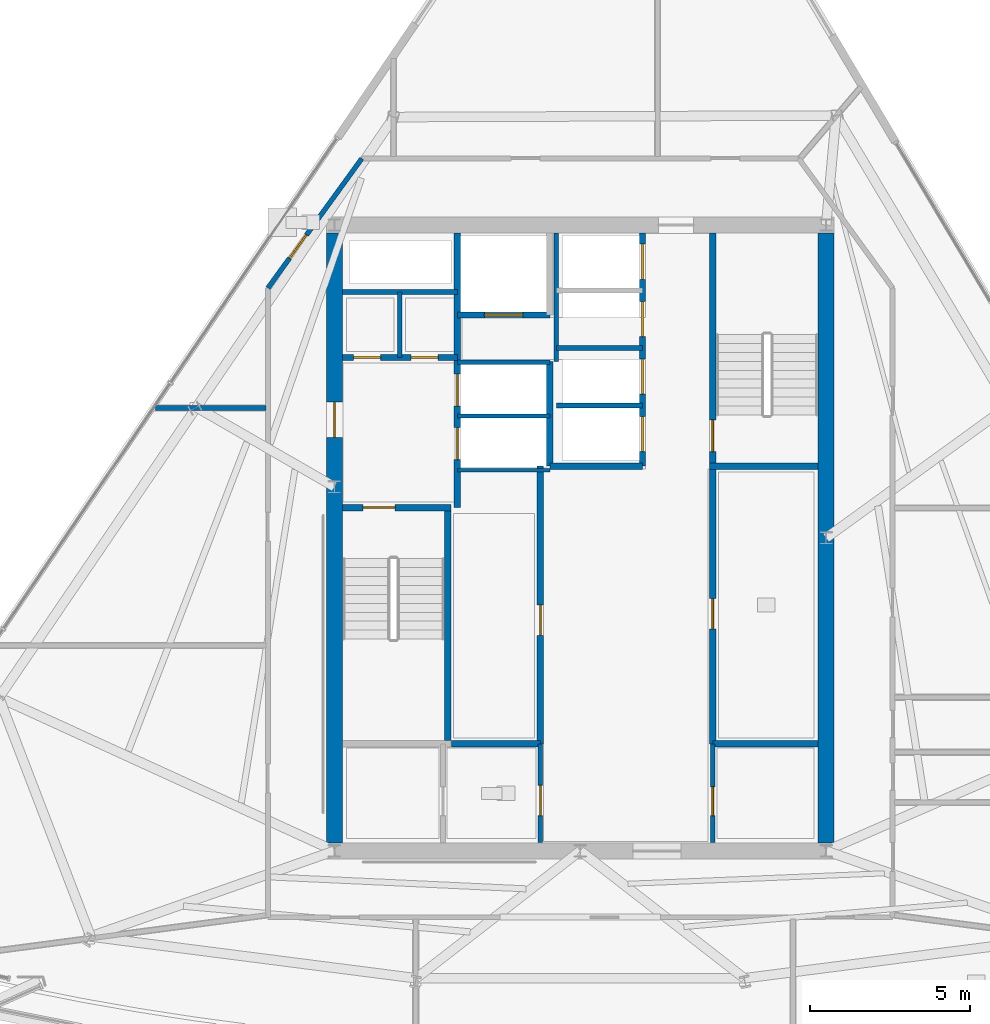
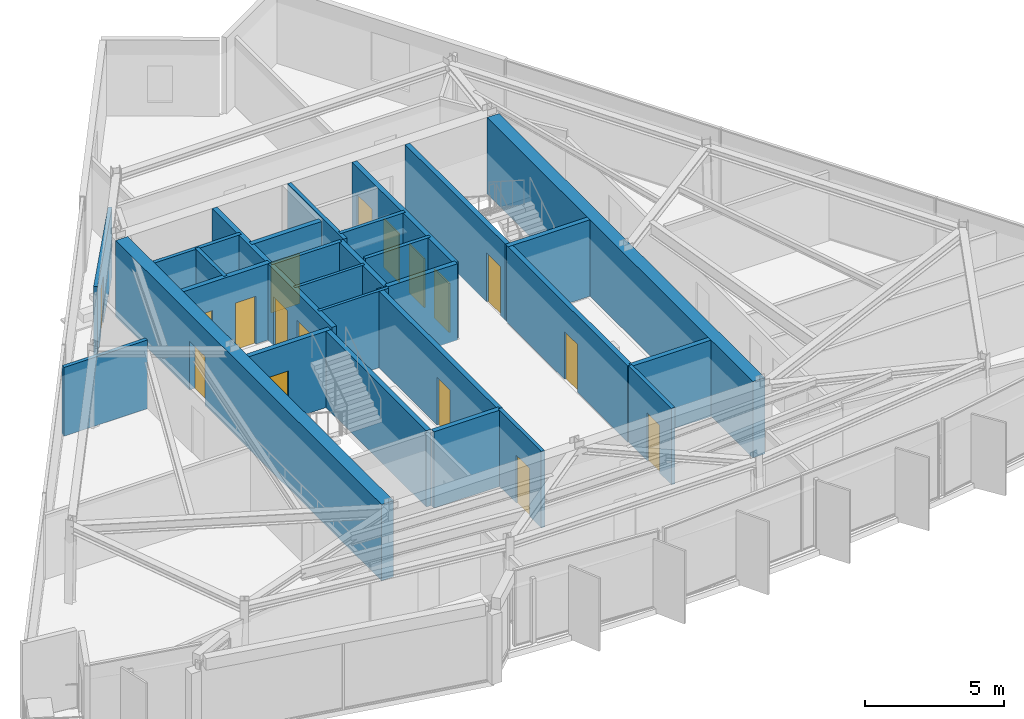
# One storey, part 7 of 13: 28 walls, 17 doors, 17 openings.
"""IFC4 building model written with IfcOpenShell, lengths in metres."""

from ifc_helpers import new_model, si_unit, direction, frame, frame_2d, origin, place, context, subcontext, project, spatial, rectangle, extrude, material, layer, layer_set, type_object, element, fill, save


model = new_model("IFC4")

# Units and contexts
model_context = context("Model", 3, precision=1e-05, world=origin(), true_north=direction((0.0, 1.0)))
body_context = subcontext(model_context, "Body", "Model", "MODEL_VIEW")
ifc_project = project(units=[si_unit("LENGTHUNIT", "METRE"), si_unit("AREAUNIT", "SQUARE_METRE"), si_unit("VOLUMEUNIT", "CUBIC_METRE"), si_unit("PLANEANGLEUNIT", "RADIAN"), si_unit("MASSUNIT", "GRAM", prefix="KILO")], contexts=[model_context])

# Site, building, storey
site_placement = place(None, origin())
site = spatial("IfcSite", under=ifc_project, at=site_placement, CompositionType="ELEMENT")
building_placement = place(site_placement, origin())
building = spatial("IfcBuilding", under=site, at=building_placement, Name="Savorim Split Tower", CompositionType="ELEMENT")
storey_placement = place(building_placement, frame((0.0, 0.0, 276.0)))
storey = spatial("IfcBuildingStorey", under=building, at=storey_placement, Name="L73", CompositionType="ELEMENT", Elevation=276.0)

# Wall, opening, door
ifc_material_1 = material(Name="Concrete C60/75", Category="concrete")
ifc_layer_1 = layer(ifc_material_1, 0.5)
ifc_layer_set_1 = layer_set([ifc_layer_1], Name="WAL-COR-SH500")
wall_type_1 = type_object("IfcWallType", Name="WAL-COR-SH500", PredefinedType="SHEAR", material=ifc_layer_set_1)
wall_1_placement = place(storey_placement, frame((-7.699951171875, -9.14990234375, 0.0), z_axis=(0.0, 0.0, 1.0), x_axis=(0.0, 1.0, 0.0)))
wall_1 = element("IfcWall", 1, at=wall_1_placement, inside=storey, type_object=wall_type_1, Name="L73 Offset Core West Shear Wall", PredefinedType="SHEAR", context=body_context, shape_type="SweptSolid", body=[
    extrude(rectangle(XDim=19.099853515625, YDim=0.5, at=frame_2d((9.5498046875, 0.0))), origin(), (0.0, 0.0, 1.0), 3.35009765625),
])
opening_1_placement = place(wall_1_placement, frame((12.699951171875, 0.0, 0.0)))
opening_1 = element("IfcOpeningElement", 2, at=opening_1_placement, cuts=wall_1, Name="Opening DI-03", PredefinedType="OPENING", context=body_context, shape_type="SweptSolid", body=[
    extrude(rectangle(XDim=1.10009765625, YDim=2.14990234375, at=frame_2d((0.550048828125, 1.074951171875))), frame((0.0, 0.260009765625, 0.0), z_axis=(0.0, -1.0, 0.0), x_axis=(1.0, 0.0, 0.0)), (0.0, 0.0, 1.0), 0.52001953125),
])
ifc_material_2 = material(Name="Timber Fire Door Leaf", Category="wood")
door_type_1 = type_object("IfcDoorType", Name="DOR-FIR-1100", OperationType="NOTDEFINED", PredefinedType="DOOR", material=ifc_material_2)
door_1_placement = place(opening_1_placement, origin())
door_1 = element("IfcDoor", 3, at=door_1_placement, inside=storey, type_object=door_type_1, Name="DOR-L73-COR-FFLOB - L73 Firefighting Lobby Corridor Door", OperationType="SINGLE_SWING_LEFT", OverallHeight=2.14990234375, OverallWidth=1.10009765625, PredefinedType="DOOR", context=body_context, shape_type="SweptSolid", body=[
    extrude(rectangle(XDim=1.10009765625, YDim=2.14990234375, at=frame_2d((0.550048828125, 1.074951171875))), frame((0.0, 0.02490234375, 0.0), z_axis=(0.0, -1.0, 0.0), x_axis=(1.0, 0.0, 0.0)), (0.0, 0.0, 1.0), 0.050048828125),
])
fill(opening_1, door_1)

# Wall
wall_2_placement = place(storey_placement, frame((7.699951171875, 9.949951171875, 0.0), z_axis=(0.0, 0.0, 1.0), x_axis=(0.0, -1.0, 0.0)))
element("IfcWall", 4, at=wall_2_placement, inside=storey, type_object=wall_type_1, Name="L73 Offset Core East Shear Wall", PredefinedType="SHEAR", context=body_context, shape_type="SweptSolid", body=[
    extrude(rectangle(XDim=19.099853515625, YDim=0.5, at=frame_2d((9.5498046875, 0.0))), origin(), (0.0, 0.0, 1.0), 3.35009765625),
])

# Wall, opening, door
ifc_material_3 = material(Name="Concrete C50/60", Category="concrete")
ifc_layer_2 = layer(ifc_material_3, 0.199951171875)
ifc_layer_set_2 = layer_set([ifc_layer_2], Name="WAL-INT-RC200")
wall_type_2 = type_object("IfcWallType", Name="WAL-INT-RC200", PredefinedType="SOLIDWALL", material=ifc_layer_set_2)
wall_3_placement = place(storey_placement, frame((-7.449951171875, 1.35009765625, 0.0), z_axis=(0.0, 0.0, 1.0), x_axis=(1.0, 0.0, 0.0)))
wall_3 = element("IfcWall", 5, at=wall_3_placement, inside=storey, type_object=wall_type_2, Name="L73 Structural Shaft Wall W-L73-CR01", PredefinedType="SOLIDWALL", context=body_context, shape_type="SweptSolid", body=[
    extrude(rectangle(XDim=3.39990234375, YDim=0.199951171875, at=frame_2d((1.699951171875, 0.0))), origin(), (0.0, 0.0, 1.0), 3.35009765625),
])
opening_2_placement = place(wall_3_placement, frame((0.64990234375, 0.0, 0.0)))
opening_2 = element("IfcOpeningElement", 6, at=opening_2_placement, cuts=wall_3, Name="Opening DI-04", PredefinedType="OPENING", context=body_context, shape_type="SweptSolid", body=[
    extrude(rectangle(XDim=1.0, YDim=2.14990234375, at=frame_2d((0.5, 1.074951171875))), frame((0.0, 0.10986328125, 0.0), z_axis=(0.0, -1.0, 0.0), x_axis=(1.0, 0.0, 0.0)), (0.0, 0.0, 1.0), 0.219970703125),
])
door_type_2 = type_object("IfcDoorType", Name="DOR-FIR-1000", OperationType="NOTDEFINED", PredefinedType="DOOR", material=ifc_material_2)
door_2_placement = place(opening_2_placement, origin())
door_2 = element("IfcDoor", 7, at=door_2_placement, inside=storey, type_object=door_type_2, Name="DR-L73-ST1 - L73 Stair ST-1 Enclosure Door", OperationType="SINGLE_SWING_LEFT", OverallHeight=2.14990234375, OverallWidth=1.0, PredefinedType="DOOR", context=body_context, shape_type="SweptSolid", body=[
    extrude(rectangle(XDim=1.0, YDim=2.14990234375, at=frame_2d((0.5, 1.074951171875))), frame((0.0, 0.02490234375, 0.0), z_axis=(0.0, -1.0, 0.0), x_axis=(1.0, 0.0, 0.0)), (0.0, 0.0, 1.0), 0.050048828125),
])
fill(opening_2, door_2)

# Wall
wall_4_placement = place(storey_placement, frame((-4.14990234375, -5.949951171875, 0.0), z_axis=(0.0, 0.0, 1.0), x_axis=(0.0, 1.0, 0.0)))
element("IfcWall", 8, at=wall_4_placement, inside=storey, type_object=wall_type_2, Name="L73 Structural Shaft Wall W-L73-CR02", PredefinedType="SOLIDWALL", context=body_context, shape_type="SweptSolid", body=[
    extrude(rectangle(XDim=7.199951171875, YDim=0.199951171875, at=frame_2d((3.60009765625, 0.0))), origin(), (0.0, 0.0, 1.0), 3.35009765625),
])

# Wall, openings, doors
wall_5_placement = place(storey_placement, frame((-3.85009765625, 1.35009765625, 0.0), z_axis=(0.0, 0.0, 1.0), x_axis=(0.0, 1.0, 0.0)))
wall_5 = element("IfcWall", 9, at=wall_5_placement, inside=storey, type_object=wall_type_2, Name="L73 Partition W-L73-CR03", PredefinedType="SOLIDWALL", context=body_context, shape_type="SweptSolid", body=[
    extrude(rectangle(XDim=8.594970703125, YDim=0.199951171875, at=frame_2d((4.29736328125, 0.0))), origin(), (0.0, 0.0, 1.0), 3.35009765625),
])
opening_3_placement = place(wall_5_placement, frame((1.5, 0.0, 0.0)))
opening_3 = element("IfcOpeningElement", 10, at=opening_3_placement, cuts=wall_5, Name="Opening LD-FFL", PredefinedType="OPENING", context=body_context, shape_type="SweptSolid", body=[
    extrude(rectangle(XDim=1.0, YDim=2.14990234375, at=frame_2d((0.5, 1.074951171875))), frame((0.0, 0.10986328125, 0.0), z_axis=(0.0, -1.0, 0.0), x_axis=(1.0, 0.0, 0.0)), (0.0, 0.0, 1.0), 0.219970703125),
])
opening_4_placement = place(wall_5_placement, frame((3.179931640625, 0.0, 0.0)))
opening_4 = element("IfcOpeningElement", 11, at=opening_4_placement, cuts=wall_5, Name="Opening LD-FFL", PredefinedType="OPENING", context=body_context, shape_type="SweptSolid", body=[
    extrude(rectangle(XDim=1.0, YDim=2.14990234375, at=frame_2d((0.5, 1.074951171875))), frame((0.0, 0.10986328125, 0.0), z_axis=(0.0, -1.0, 0.0), x_axis=(1.0, 0.0, 0.0)), (0.0, 0.0, 1.0), 0.219970703125),
])
ifc_material_4 = material(Name="Charcoal Anodised Aluminium", Category="aluminium")
door_type_3 = type_object("IfcDoorType", Name="DOR-SLD-LD1000", OperationType="NOTDEFINED", PredefinedType="DOOR", material=ifc_material_4)
door_3_placement = place(opening_3_placement, origin())
door_3 = element("IfcDoor", 12, at=door_3_placement, inside=storey, type_object=door_type_3, Name="DR-L73-LD-FFL1 - L73 Firefighting Lift FFL-1 Sliding Landing Door", OperationType="DOUBLE_DOOR_SLIDING", OverallHeight=2.14990234375, OverallWidth=1.0, PredefinedType="DOOR", context=body_context, shape_type="SweptSolid", body=[
    extrude(rectangle(XDim=1.0, YDim=2.14990234375, at=frame_2d((0.5, 1.074951171875))), frame((0.0, 0.02490234375, 0.0), z_axis=(0.0, -1.0, 0.0), x_axis=(1.0, 0.0, 0.0)), (0.0, 0.0, 1.0), 0.050048828125),
])
fill(opening_3, door_3)
door_4_placement = place(opening_4_placement, origin())
door_4 = element("IfcDoor", 13, at=door_4_placement, inside=storey, type_object=door_type_3, Name="DR-L73-LD-FFL2 - L73 Firefighting Lift FFL-2 Sliding Landing Door", OperationType="DOUBLE_DOOR_SLIDING", OverallHeight=2.14990234375, OverallWidth=1.0, PredefinedType="DOOR", context=body_context, shape_type="SweptSolid", body=[
    extrude(rectangle(XDim=1.0, YDim=2.14990234375, at=frame_2d((0.5, 1.074951171875))), frame((0.0, 0.02490234375, 0.0), z_axis=(0.0, -1.0, 0.0), x_axis=(1.0, 0.0, 0.0)), (0.0, 0.0, 1.0), 0.050048828125),
])
fill(opening_4, door_4)

wall_6_placement = place(storey_placement, frame((-7.445068359375, 6.050048828125, 0.0), z_axis=(0.0, 0.0, 1.0), x_axis=(1.0, 0.0, 0.0)))
wall_6 = element("IfcWall", 14, at=wall_6_placement, inside=storey, type_object=wall_type_2, Name="L73 Partition W-L73-CR04", PredefinedType="SOLIDWALL", context=body_context, shape_type="SweptSolid", body=[
    extrude(rectangle(XDim=3.594970703125, YDim=0.199951171875, at=frame_2d((1.79736328125, 0.0))), origin(), (0.0, 0.0, 1.0), 3.35009765625),
])
opening_5_placement = place(wall_6_placement, frame((0.344970703125, 0.0, 0.0)))
opening_5 = element("IfcOpeningElement", 15, at=opening_5_placement, cuts=wall_6, Name="Opening DI-12", PredefinedType="OPENING", context=body_context, shape_type="SweptSolid", body=[
    extrude(rectangle(XDim=0.85009765625, YDim=2.10009765625, at=frame_2d((0.425048828125, 1.050048828125))), frame((0.0, 0.10986328125, 0.0), z_axis=(0.0, -1.0, 0.0), x_axis=(1.0, 0.0, 0.0)), (0.0, 0.0, 1.0), 0.219970703125),
])
opening_6_placement = place(wall_6_placement, frame((2.14501953125, 0.0, 0.0)))
opening_6 = element("IfcOpeningElement", 16, at=opening_6_placement, cuts=wall_6, Name="Opening DI-12", PredefinedType="OPENING", context=body_context, shape_type="SweptSolid", body=[
    extrude(rectangle(XDim=0.85009765625, YDim=2.10009765625, at=frame_2d((0.425048828125, 1.050048828125))), frame((0.0, 0.10986328125, 0.0), z_axis=(0.0, -1.0, 0.0), x_axis=(1.0, 0.0, 0.0)), (0.0, 0.0, 1.0), 0.219970703125),
])
ifc_material_5 = material(Name="Galvanised Painted Steel Balustrade", Category="steel")
door_type_4 = type_object("IfcDoorType", Name="DOR-RIS-850", OperationType="NOTDEFINED", PredefinedType="DOOR", material=ifc_material_5)
door_5_placement = place(opening_5_placement, origin())
door_5 = element("IfcDoor", 17, at=door_5_placement, inside=storey, type_object=door_type_4, Name="DR-L73-ELR - L73 Electrical Riser Access Door", OperationType="SINGLE_SWING_RIGHT", OverallHeight=2.10009765625, OverallWidth=0.85009765625, PredefinedType="DOOR", context=body_context, shape_type="SweptSolid", body=[
    extrude(rectangle(XDim=0.85009765625, YDim=2.10009765625, at=frame_2d((0.425048828125, 1.050048828125))), frame((0.0, 0.02490234375, 0.0), z_axis=(0.0, -1.0, 0.0), x_axis=(1.0, 0.0, 0.0)), (0.0, 0.0, 1.0), 0.050048828125),
])
fill(opening_5, door_5)
door_6_placement = place(opening_6_placement, origin())
door_6 = element("IfcDoor", 18, at=door_6_placement, inside=storey, type_object=door_type_4, Name="DR-L73-TLR - L73 Telecom Riser Access Door", OperationType="SINGLE_SWING_LEFT", OverallHeight=2.10009765625, OverallWidth=0.85009765625, PredefinedType="DOOR", context=body_context, shape_type="SweptSolid", body=[
    extrude(rectangle(XDim=0.85009765625, YDim=2.10009765625, at=frame_2d((0.425048828125, 1.050048828125))), frame((0.0, 0.02490234375, 0.0), z_axis=(0.0, -1.0, 0.0), x_axis=(1.0, 0.0, 0.0)), (0.0, 0.0, 1.0), 0.050048828125),
])
fill(opening_6, door_6)

# Wall, opening, door
wall_7_placement = place(storey_placement, frame((4.14990234375, 2.75, 0.0), z_axis=(0.0, 0.0, 1.0), x_axis=(0.0, 1.0, 0.0)))
wall_7 = element("IfcWall", 19, at=wall_7_placement, inside=storey, type_object=wall_type_2, Name="L73 Structural Shaft Wall W-L73-CR07", PredefinedType="SOLIDWALL", context=body_context, shape_type="SweptSolid", body=[
    extrude(rectangle(XDim=7.199951171875, YDim=0.199951171875, at=frame_2d((3.60009765625, 0.0))), origin(), (0.0, 0.0, 1.0), 3.35009765625),
])
opening_7_placement = place(wall_7_placement, frame((0.35009765625, 0.0, 0.0)))
opening_7 = element("IfcOpeningElement", 20, at=opening_7_placement, cuts=wall_7, Name="Opening DI-04", PredefinedType="OPENING", context=body_context, shape_type="SweptSolid", body=[
    extrude(rectangle(XDim=1.0, YDim=2.14990234375, at=frame_2d((0.5, 1.074951171875))), frame((0.0, 0.10986328125, 0.0), z_axis=(0.0, -1.0, 0.0), x_axis=(1.0, 0.0, 0.0)), (0.0, 0.0, 1.0), 0.219970703125),
])
door_7_placement = place(opening_7_placement, origin())
door_7 = element("IfcDoor", 21, at=door_7_placement, inside=storey, type_object=door_type_2, Name="DR-L73-ST2 - L73 Stair ST-2 Enclosure Door", OperationType="SINGLE_SWING_RIGHT", OverallHeight=2.14990234375, OverallWidth=1.0, PredefinedType="DOOR", context=body_context, shape_type="SweptSolid", body=[
    extrude(rectangle(XDim=1.0, YDim=2.14990234375, at=frame_2d((0.5, 1.074951171875))), frame((0.0, 0.02490234375, 0.0), z_axis=(0.0, -1.0, 0.0), x_axis=(1.0, 0.0, 0.0)), (0.0, 0.0, 1.0), 0.050048828125),
])
fill(opening_7, door_7)

# Walls
wall_8_placement = place(storey_placement, frame((4.050048828125, 2.64990234375, 0.0), z_axis=(0.0, 0.0, 1.0), x_axis=(1.0, 0.0, 0.0)))
element("IfcWall", 22, at=wall_8_placement, inside=storey, type_object=wall_type_2, Name="L73 Structural Shaft Wall W-L73-CR08", PredefinedType="SOLIDWALL", context=body_context, shape_type="SweptSolid", body=[
    extrude(rectangle(XDim=3.39990234375, YDim=0.199951171875, at=frame_2d((1.699951171875, 0.0))), origin(), (0.0, 0.0, 1.0), 3.35009765625),
])
wall_9_placement = place(storey_placement, frame((-0.949951171875, 2.64990234375, 0.0), z_axis=(0.0, 0.0, 1.0), x_axis=(0.0, 1.0, 0.0)))
element("IfcWall", 23, at=wall_9_placement, inside=storey, type_object=wall_type_2, Name="L73 Partition W-L73-FFLW", PredefinedType="SOLIDWALL", context=body_context, shape_type="SweptSolid", body=[
    extrude(rectangle(XDim=3.27001953125, YDim=0.199951171875, at=frame_2d((1.635009765625, 0.0))), origin(), (0.0, 0.0, 1.0), 3.35009765625),
])

# Wall, opening, door
wall_10_placement = place(storey_placement, frame((-3.85009765625, 7.3798828125, 0.0), z_axis=(0.0, 0.0, 1.0), x_axis=(1.0, 0.0, 0.0)))
wall_10 = element("IfcWall", 24, at=wall_10_placement, inside=storey, type_object=wall_type_2, Name="L73 Partition W-L73-SVLS", PredefinedType="SOLIDWALL", context=body_context, shape_type="SweptSolid", body=[
    extrude(rectangle(XDim=2.900146484375, YDim=0.199951171875, at=frame_2d((1.4501953125, 0.0))), origin(), (0.0, 0.0, 1.0), 3.35009765625),
])
opening_8_placement = place(wall_10_placement, frame((0.85009765625, 0.0, 0.0)))
opening_8 = element("IfcOpeningElement", 25, at=opening_8_placement, cuts=wall_10, Name="Opening LD-SV", PredefinedType="OPENING", context=body_context, shape_type="SweptSolid", body=[
    extrude(rectangle(XDim=1.199951171875, YDim=2.199951171875, at=frame_2d((0.60009765625, 1.10009765625))), frame((0.0, 0.10986328125, 0.0), z_axis=(0.0, -1.0, 0.0), x_axis=(1.0, 0.0, 0.0)), (0.0, 0.0, 1.0), 0.219970703125),
])
door_type_5 = type_object("IfcDoorType", Name="DOR-SLD-SV1200", OperationType="NOTDEFINED", PredefinedType="DOOR", material=ifc_material_4)
door_8_placement = place(opening_8_placement, origin())
door_8 = element("IfcDoor", 26, at=door_8_placement, inside=storey, type_object=door_type_5, Name="DR-L73-LD-SVL1 - L73 Service Lift SVL-1 Sliding Landing Door", OperationType="DOUBLE_DOOR_SLIDING", OverallHeight=2.199951171875, OverallWidth=1.199951171875, PredefinedType="DOOR", context=body_context, shape_type="SweptSolid", body=[
    extrude(rectangle(XDim=1.199951171875, YDim=2.199951171875, at=frame_2d((0.60009765625, 1.10009765625))), frame((0.0, 0.02490234375, 0.0), z_axis=(0.0, -1.0, 0.0), x_axis=(1.0, 0.0, 0.0)), (0.0, 0.0, 1.0), 0.050048828125),
])
fill(opening_8, door_8)

wall_11_placement = place(storey_placement, frame((4.14990234375, -6.050048828125, 0.0), z_axis=(0.0, 0.0, 1.0), x_axis=(0.0, 1.0, 0.0)))
wall_11 = element("IfcWall", 27, at=wall_11_placement, inside=storey, type_object=wall_type_2, Name="L73 Partition W-L73-B1FRONT", PredefinedType="SOLIDWALL", context=body_context, shape_type="SweptSolid", body=[
    extrude(rectangle(XDim=8.699951171875, YDim=0.199951171875, at=frame_2d((4.35009765625, 0.0))), origin(), (0.0, 0.0, 1.0), 3.35009765625),
])
opening_9_placement = place(wall_11_placement, frame((3.60009765625, 0.0, 0.0)))
opening_9 = element("IfcOpeningElement", 28, at=opening_9_placement, cuts=wall_11, Name="Opening DI-05", PredefinedType="OPENING", context=body_context, shape_type="SweptSolid", body=[
    extrude(rectangle(XDim=0.949951171875, YDim=2.10009765625, at=frame_2d((0.47509765625, 1.050048828125))), frame((0.0, 0.10986328125, 0.0), z_axis=(0.0, -1.0, 0.0), x_axis=(1.0, 0.0, 0.0)), (0.0, 0.0, 1.0), 0.219970703125),
])
door_type_6 = type_object("IfcDoorType", Name="DOR-FIR-950", OperationType="NOTDEFINED", PredefinedType="DOOR", material=ifc_material_2)
door_9_placement = place(opening_9_placement, origin())
door_9 = element("IfcDoor", 29, at=door_9_placement, inside=storey, type_object=door_type_6, Name="DR-L73-LV7B1 - L73 Community Laundry Room Door", OperationType="SINGLE_SWING_RIGHT", OverallHeight=2.10009765625, OverallWidth=0.949951171875, PredefinedType="DOOR", context=body_context, shape_type="SweptSolid", body=[
    extrude(rectangle(XDim=0.949951171875, YDim=2.10009765625, at=frame_2d((0.47509765625, 1.050048828125))), frame((0.0, 0.02490234375, 0.0), z_axis=(0.0, -1.0, 0.0), x_axis=(1.0, 0.0, 0.0)), (0.0, 0.0, 1.0), 0.050048828125),
])
fill(opening_9, door_9)

wall_12_placement = place(storey_placement, frame((-1.25, -6.050048828125, 0.0), z_axis=(0.0, 0.0, 1.0), x_axis=(0.0, 1.0, 0.0)))
wall_12 = element("IfcWall", 30, at=wall_12_placement, inside=storey, type_object=wall_type_2, Name="L73 Partition W-L73-B2FRONT", PredefinedType="SOLIDWALL", context=body_context, shape_type="SweptSolid", body=[
    extrude(rectangle(XDim=8.699951171875, YDim=0.199951171875, at=frame_2d((4.35009765625, 0.0))), origin(), (0.0, 0.0, 1.0), 3.35009765625),
])
opening_10_placement = place(wall_12_placement, frame((3.39990234375, 0.0, 0.0)))
opening_10 = element("IfcOpeningElement", 31, at=opening_10_placement, cuts=wall_12, Name="Opening DI-05", PredefinedType="OPENING", context=body_context, shape_type="SweptSolid", body=[
    extrude(rectangle(XDim=0.949951171875, YDim=2.10009765625, at=frame_2d((0.47509765625, 1.050048828125))), frame((0.0, 0.10986328125, 0.0), z_axis=(0.0, -1.0, 0.0), x_axis=(1.0, 0.0, 0.0)), (0.0, 0.0, 1.0), 0.219970703125),
])
door_10_placement = place(opening_10_placement, origin())
door_10 = element("IfcDoor", 32, at=door_10_placement, inside=storey, type_object=door_type_6, Name="DR-L73-LV7B2 - L73 Quiet Study Room Door", OperationType="SINGLE_SWING_LEFT", OverallHeight=2.10009765625, OverallWidth=0.949951171875, PredefinedType="DOOR", context=body_context, shape_type="SweptSolid", body=[
    extrude(rectangle(XDim=0.949951171875, YDim=2.10009765625, at=frame_2d((0.47509765625, 1.050048828125))), frame((0.0, 0.02490234375, 0.0), z_axis=(0.0, -1.0, 0.0), x_axis=(1.0, 0.0, 0.0)), (0.0, 0.0, 1.0), 0.050048828125),
])
fill(opening_10, door_10)

# Wall, openings, doors
wall_13_placement = place(storey_placement, frame((1.949951171875, 2.64990234375, 0.0), z_axis=(0.0, 0.0, 1.0), x_axis=(0.0, 1.0, 0.0)))
wall_13 = element("IfcWall", 33, at=wall_13_placement, inside=storey, type_object=wall_type_2, Name="L73 Partition W-L73-B3FRONT", PredefinedType="SOLIDWALL", context=body_context, shape_type="SweptSolid", body=[
    extrude(rectangle(XDim=7.295166015625, YDim=0.199951171875, at=frame_2d((3.6474609375, 0.0))), origin(), (0.0, 0.0, 1.0), 3.35009765625),
])
opening_11_placement = place(wall_13_placement, frame((0.449951171875, 0.0, 0.0)))
opening_11 = element("IfcOpeningElement", 34, at=opening_11_placement, cuts=wall_13, Name="Opening LD-03", PredefinedType="OPENING", context=body_context, shape_type="SweptSolid", body=[
    extrude(rectangle(XDim=1.10009765625, YDim=2.14990234375, at=frame_2d((0.550048828125, 1.074951171875))), frame((0.0, 0.10986328125, 0.0), z_axis=(0.0, -1.0, 0.0), x_axis=(1.0, 0.0, 0.0)), (0.0, 0.0, 1.0), 0.219970703125),
])
opening_12_placement = place(wall_13_placement, frame((2.25, 0.0, 0.0)))
opening_12 = element("IfcOpeningElement", 35, at=opening_12_placement, cuts=wall_13, Name="Opening LD-03", PredefinedType="OPENING", context=body_context, shape_type="SweptSolid", body=[
    extrude(rectangle(XDim=1.10009765625, YDim=2.14990234375, at=frame_2d((0.550048828125, 1.074951171875))), frame((0.0, 0.10986328125, 0.0), z_axis=(0.0, -1.0, 0.0), x_axis=(1.0, 0.0, 0.0)), (0.0, 0.0, 1.0), 0.219970703125),
])
opening_13_placement = place(wall_13_placement, frame((4.050048828125, 0.0, 0.0)))
opening_13 = element("IfcOpeningElement", 36, at=opening_13_placement, cuts=wall_13, Name="Opening LD-03", PredefinedType="OPENING", context=body_context, shape_type="SweptSolid", body=[
    extrude(rectangle(XDim=1.10009765625, YDim=2.14990234375, at=frame_2d((0.550048828125, 1.074951171875))), frame((0.0, 0.10986328125, 0.0), z_axis=(0.0, -1.0, 0.0), x_axis=(1.0, 0.0, 0.0)), (0.0, 0.0, 1.0), 0.219970703125),
])
opening_14_placement = place(wall_13_placement, frame((5.85009765625, 0.0, 0.0)))
opening_14 = element("IfcOpeningElement", 37, at=opening_14_placement, cuts=wall_13, Name="Opening LD-03", PredefinedType="OPENING", context=body_context, shape_type="SweptSolid", body=[
    extrude(rectangle(XDim=1.10009765625, YDim=2.14990234375, at=frame_2d((0.550048828125, 1.074951171875))), frame((0.0, 0.10986328125, 0.0), z_axis=(0.0, -1.0, 0.0), x_axis=(1.0, 0.0, 0.0)), (0.0, 0.0, 1.0), 0.219970703125),
])
door_type_7 = type_object("IfcDoorType", Name="DOR-SLD-LDH1100", OperationType="NOTDEFINED", PredefinedType="DOOR", material=ifc_material_4)
door_11_placement = place(opening_11_placement, origin())
door_11 = element("IfcDoor", 38, at=door_11_placement, inside=storey, type_object=door_type_7, Name="DR-L73-LD-PLH1 - L73 Lift PL-H1 Sliding Landing Door", OperationType="DOUBLE_DOOR_SLIDING", OverallHeight=2.14990234375, OverallWidth=1.10009765625, PredefinedType="DOOR", context=body_context, shape_type="SweptSolid", body=[
    extrude(rectangle(XDim=1.10009765625, YDim=2.14990234375, at=frame_2d((0.550048828125, 1.074951171875))), frame((0.0, 0.02490234375, 0.0), z_axis=(0.0, -1.0, 0.0), x_axis=(1.0, 0.0, 0.0)), (0.0, 0.0, 1.0), 0.050048828125),
])
fill(opening_11, door_11)
door_12_placement = place(opening_12_placement, origin())
door_12 = element("IfcDoor", 39, at=door_12_placement, inside=storey, type_object=door_type_7, Name="DR-L73-LD-PLH2 - L73 Lift PL-H2 Sliding Landing Door", OperationType="DOUBLE_DOOR_SLIDING", OverallHeight=2.14990234375, OverallWidth=1.10009765625, PredefinedType="DOOR", context=body_context, shape_type="SweptSolid", body=[
    extrude(rectangle(XDim=1.10009765625, YDim=2.14990234375, at=frame_2d((0.550048828125, 1.074951171875))), frame((0.0, 0.02490234375, 0.0), z_axis=(0.0, -1.0, 0.0), x_axis=(1.0, 0.0, 0.0)), (0.0, 0.0, 1.0), 0.050048828125),
])
fill(opening_12, door_12)
door_13_placement = place(opening_13_placement, origin())
door_13 = element("IfcDoor", 40, at=door_13_placement, inside=storey, type_object=door_type_7, Name="DR-L73-LD-PLH3 - L73 Lift PL-H3 Sliding Landing Door", OperationType="DOUBLE_DOOR_SLIDING", OverallHeight=2.14990234375, OverallWidth=1.10009765625, PredefinedType="DOOR", context=body_context, shape_type="SweptSolid", body=[
    extrude(rectangle(XDim=1.10009765625, YDim=2.14990234375, at=frame_2d((0.550048828125, 1.074951171875))), frame((0.0, 0.02490234375, 0.0), z_axis=(0.0, -1.0, 0.0), x_axis=(1.0, 0.0, 0.0)), (0.0, 0.0, 1.0), 0.050048828125),
])
fill(opening_13, door_13)
door_14_placement = place(opening_14_placement, origin())
door_14 = element("IfcDoor", 41, at=door_14_placement, inside=storey, type_object=door_type_7, Name="DR-L73-LD-PLH4 - L73 Lift PL-H4 Sliding Landing Door", OperationType="DOUBLE_DOOR_SLIDING", OverallHeight=2.14990234375, OverallWidth=1.10009765625, PredefinedType="DOOR", context=body_context, shape_type="SweptSolid", body=[
    extrude(rectangle(XDim=1.10009765625, YDim=2.14990234375, at=frame_2d((0.550048828125, 1.074951171875))), frame((0.0, 0.02490234375, 0.0), z_axis=(0.0, -1.0, 0.0), x_axis=(1.0, 0.0, 0.0)), (0.0, 0.0, 1.0), 0.050048828125),
])
fill(opening_14, door_14)

# Walls
wall_14_placement = place(storey_placement, frame((-0.949951171875, 2.64990234375, 0.0), z_axis=(0.0, 0.0, 1.0), x_axis=(1.0, 0.0, 0.0)))
element("IfcWall", 42, at=wall_14_placement, inside=storey, type_object=wall_type_2, Name="L73 Partition W-L73-B3SOUTH", PredefinedType="SOLIDWALL", context=body_context, shape_type="SweptSolid", body=[
    extrude(rectangle(XDim=2.89990234375, YDim=0.199951171875, at=frame_2d((1.449951171875, 0.0))), origin(), (0.0, 0.0, 1.0), 3.35009765625),
])
wall_15_placement = place(storey_placement, frame((-4.0400390625, -6.050048828125, 0.0), z_axis=(0.0, 0.0, 1.0), x_axis=(1.0, 0.0, 0.0)))
element("IfcWall", 43, at=wall_15_placement, inside=storey, type_object=wall_type_2, Name="L73 Partition W-L73-KSEP-W2", PredefinedType="SOLIDWALL", context=body_context, shape_type="SweptSolid", body=[
    extrude(rectangle(XDim=2.7900390625, YDim=0.199951171875, at=frame_2d((1.39501953125, 0.0))), origin(), (0.0, 0.0, 1.0), 3.35009765625),
])
wall_16_placement = place(storey_placement, frame((4.14990234375, -6.050048828125, 0.0), z_axis=(0.0, 0.0, 1.0), x_axis=(1.0, 0.0, 0.0)))
element("IfcWall", 44, at=wall_16_placement, inside=storey, type_object=wall_type_2, Name="L73 Partition W-L73-KSEP-E", PredefinedType="SOLIDWALL", context=body_context, shape_type="SweptSolid", body=[
    extrude(rectangle(XDim=3.295166015625, YDim=0.199951171875, at=frame_2d((1.6474609375, 0.0))), origin(), (0.0, 0.0, 1.0), 3.35009765625),
])
ifc_material_6 = material(Name="Acoustic Gypsum Partition Board")
ifc_layer_3 = layer(ifc_material_6, 0.1201171875)
ifc_layer_set_3 = layer_set([ifc_layer_3], Name="WAL-PAR-120")
wall_type_3 = type_object("IfcWallType", Name="WAL-PAR-120", PredefinedType="PARTITIONING", material=ifc_layer_set_3)
for number, where, z_axis, x_axis, name in (
    (45, (-3.85009765625, 2.52001953125, 0.0), (0.0, 0.0, 1.0), (1.0, 0.0, 0.0), "L73 Partition W-L73-FFLD0"),
    (46, (-3.85009765625, 4.219970703125, 0.0), (0.0, 0.0, 1.0), (1.0, 0.0, 0.0), "L73 Partition W-L73-FFLD1"),
):
    element("IfcWall", number, at=place(storey_placement, frame(where, z_axis=z_axis, x_axis=x_axis)), inside=storey, type_object=wall_type_3, Name=name, PredefinedType="PARTITIONING", context=body_context, shape_type="SweptSolid", body=[
        extrude(rectangle(XDim=2.900146484375, YDim=0.1201171875, at=frame_2d((1.4501953125, 0.0))), origin(), (0.0, 0.0, 1.0), 3.35009765625),
    ])
ifc_layer_4 = layer(ifc_material_6, 0.14990234375)
ifc_layer_set_4 = layer_set([ifc_layer_4], Name="WAL-PAR-150")
wall_type_4 = type_object("IfcWallType", Name="WAL-PAR-150", PredefinedType="PARTITIONING", material=ifc_layer_set_4)
wall_17_placement = place(storey_placement, frame((-7.445068359375, 8.10009765625, 0.0), z_axis=(0.0, 0.0, 1.0), x_axis=(1.0, 0.0, 0.0)))
element("IfcWall", 47, at=wall_17_placement, inside=storey, type_object=wall_type_4, Name="L73 Partition W-L73-CR05", PredefinedType="PARTITIONING", context=body_context, shape_type="SweptSolid", body=[
    extrude(rectangle(XDim=3.594970703125, YDim=0.14990234375, at=frame_2d((1.79736328125, 0.0))), origin(), (0.0, 0.0, 1.0), 3.35009765625),
])
wall_18_placement = place(storey_placement, frame((-5.64990234375, 6.050048828125, 0.0), z_axis=(0.0, 0.0, 1.0), x_axis=(0.0, 1.0, 0.0)))
element("IfcWall", 48, at=wall_18_placement, inside=storey, type_object=wall_type_4, Name="L73 Partition W-L73-CR06", PredefinedType="PARTITIONING", context=body_context, shape_type="SweptSolid", body=[
    extrude(rectangle(XDim=2.050048828125, YDim=0.14990234375, at=frame_2d((1.02490234375, 0.0))), origin(), (0.0, 0.0, 1.0), 3.35009765625),
])
wall_19_placement = place(storey_placement, frame((-3.85009765625, 5.89990234375, 0.0), z_axis=(0.0, 0.0, 1.0), x_axis=(1.0, 0.0, 0.0)))
element("IfcWall", 49, at=wall_19_placement, inside=storey, type_object=wall_type_4, Name="L73 Partition W-L73-FFLD2", PredefinedType="PARTITIONING", context=body_context, shape_type="SweptSolid", body=[
    extrude(rectangle(XDim=2.900146484375, YDim=0.14990234375, at=frame_2d((1.4501953125, 0.0))), origin(), (0.0, 0.0, 1.0), 3.35009765625),
])
wall_20_placement = place(storey_placement, frame((-0.75, 5.919921875, 0.0), z_axis=(0.0, 0.0, 1.0), x_axis=(0.0, 1.0, 0.0)))
element("IfcWall", 50, at=wall_20_placement, inside=storey, type_object=wall_type_4, Name="L73 Partition W-L73-B3WEST", PredefinedType="PARTITIONING", context=body_context, shape_type="SweptSolid", body=[
    extrude(rectangle(XDim=4.025146484375, YDim=0.14990234375, at=frame_2d((2.0126953125, 0.0))), origin(), (0.0, 0.0, 1.0), 3.35009765625),
])
for number, where, z_axis, x_axis, name in (
    (51, (-0.75, 4.550048828125, 0.0), (0.0, 0.0, 1.0), (1.0, 0.0, 0.0), "L73 Partition W-L73-B3DIV1"),
    (52, (-0.75, 6.35009765625, 0.0), (0.0, 0.0, 1.0), (1.0, 0.0, 0.0), "L73 Partition W-L73-B3DIV2"),
):
    element("IfcWall", number, at=place(storey_placement, frame(where, z_axis=z_axis, x_axis=x_axis)), inside=storey, type_object=wall_type_4, Name=name, PredefinedType="PARTITIONING", context=body_context, shape_type="SweptSolid", body=[
        extrude(rectangle(XDim=2.699951171875, YDim=0.14990234375, at=frame_2d((1.35009765625, 0.0))), origin(), (0.0, 0.0, 1.0), 3.35009765625),
    ])

# Wall, opening, door
wall_21_placement = place(storey_placement, frame((-1.25, -9.14501953125, 0.0), z_axis=(0.0, 0.0, 1.0), x_axis=(0.0, 1.0, 0.0)))
wall_21 = element("IfcWall", 53, at=wall_21_placement, inside=storey, type_object=wall_type_4, Name="L73 Partition W-L73-KLOB-W", PredefinedType="PARTITIONING", context=body_context, shape_type="SweptSolid", body=[
    extrude(rectangle(XDim=3.094970703125, YDim=0.14990234375, at=frame_2d((1.54736328125, 0.0))), origin(), (0.0, 0.0, 1.0), 3.35009765625),
])
opening_15_placement = place(wall_21_placement, frame((0.844970703125, 0.0, 0.0)))
opening_15 = element("IfcOpeningElement", 54, at=opening_15_placement, cuts=wall_21, Name="Opening DI-10", PredefinedType="OPENING", context=body_context, shape_type="SweptSolid", body=[
    extrude(rectangle(XDim=0.949951171875, YDim=2.10009765625, at=frame_2d((0.47509765625, 1.050048828125))), frame((0.0, 0.0849609375, 0.0), z_axis=(0.0, -1.0, 0.0), x_axis=(1.0, 0.0, 0.0)), (0.0, 0.0, 1.0), 0.169921875),
])
ifc_material_7 = material(Name="Oak Veneer Acoustic Door")
door_type_8 = type_object("IfcDoorType", Name="DOR-WC-950", OperationType="NOTDEFINED", PredefinedType="DOOR", material=ifc_material_7)
door_15_placement = place(opening_15_placement, origin())
door_15 = element("IfcDoor", 55, at=door_15_placement, inside=storey, type_object=door_type_8, Name="DR-L73-K1WC - L73 Core Accessible WC Door", OperationType="SINGLE_SWING_LEFT", OverallHeight=2.10009765625, OverallWidth=0.949951171875, PredefinedType="DOOR", context=body_context, shape_type="SweptSolid", body=[
    extrude(rectangle(XDim=0.949951171875, YDim=2.10009765625, at=frame_2d((0.47509765625, 1.050048828125))), frame((0.0, 0.02490234375, 0.0), z_axis=(0.0, -1.0, 0.0), x_axis=(1.0, 0.0, 0.0)), (0.0, 0.0, 1.0), 0.050048828125),
])
fill(opening_15, door_15)

wall_22_placement = place(storey_placement, frame((4.14990234375, -9.14501953125, 0.0), z_axis=(0.0, 0.0, 1.0), x_axis=(0.0, 1.0, 0.0)))
wall_22 = element("IfcWall", 56, at=wall_22_placement, inside=storey, type_object=wall_type_4, Name="L73 Partition W-L73-KLOB-E", PredefinedType="PARTITIONING", context=body_context, shape_type="SweptSolid", body=[
    extrude(rectangle(XDim=3.094970703125, YDim=0.14990234375, at=frame_2d((1.54736328125, 0.0))), origin(), (0.0, 0.0, 1.0), 3.35009765625),
])
opening_16_placement = place(wall_22_placement, frame((0.844970703125, 0.0, 0.0)))
opening_16 = element("IfcOpeningElement", 57, at=opening_16_placement, cuts=wall_22, Name="Opening DI-06", PredefinedType="OPENING", context=body_context, shape_type="SweptSolid", body=[
    extrude(rectangle(XDim=0.89990234375, YDim=2.10009765625, at=frame_2d((0.449951171875, 1.050048828125))), frame((0.0, 0.0849609375, 0.0), z_axis=(0.0, -1.0, 0.0), x_axis=(1.0, 0.0, 0.0)), (0.0, 0.0, 1.0), 0.169921875),
])
door_type_9 = type_object("IfcDoorType", Name="DOR-FIR-900", OperationType="NOTDEFINED", PredefinedType="DOOR", material=ifc_material_2)
door_16_placement = place(opening_16_placement, origin())
door_16 = element("IfcDoor", 58, at=door_16_placement, inside=storey, type_object=door_type_9, Name="DR-L73-K1IT - L73 Core IT Room Door", OperationType="SINGLE_SWING_LEFT", OverallHeight=2.10009765625, OverallWidth=0.89990234375, PredefinedType="DOOR", context=body_context, shape_type="SweptSolid", body=[
    extrude(rectangle(XDim=0.89990234375, YDim=2.10009765625, at=frame_2d((0.449951171875, 1.050048828125))), frame((0.0, 0.02490234375, 0.0), z_axis=(0.0, -1.0, 0.0), x_axis=(1.0, 0.0, 0.0)), (0.0, 0.0, 1.0), 0.050048828125),
])
fill(opening_16, door_16)

wall_23_placement = place(storey_placement, frame((-9.780029296875, 8.225830078125, 0.0), z_axis=(0.0, 0.0, 1.0), x_axis=(0.586956386413, 0.809618552436, 0.0)))
wall_23 = element("IfcWall", 59, at=wall_23_placement, inside=storey, type_object=wall_type_4, Name="L73 Partition W-L73-COR-02", PredefinedType="PARTITIONING", context=body_context, shape_type="SweptSolid", body=[
    extrude(rectangle(XDim=5.007568359375, YDim=0.14990234375, at=frame_2d((2.50390625, 0.0))), origin(), (0.0, 0.0, 1.0), 3.014892578125),
])
opening_17_placement = place(wall_23_placement, frame((1.15380859375, 0.0, 0.0)))
opening_17 = element("IfcOpeningElement", 60, at=opening_17_placement, cuts=wall_23, Name="Opening DI-11", PredefinedType="OPENING", context=body_context, shape_type="SweptSolid", body=[
    extrude(rectangle(XDim=0.89990234375, YDim=2.10009765625, at=frame_2d((0.449951171875, 1.050048828125))), frame((0.0, 0.0849609375, 0.0), z_axis=(0.0, -1.0, 0.0), x_axis=(1.0, 0.0, 0.0)), (0.0, 0.0, 1.0), 0.169921875),
])
door_type_10 = type_object("IfcDoorType", Name="DOR-WC-900", OperationType="NOTDEFINED", PredefinedType="DOOR", material=ifc_material_7)
door_17_placement = place(opening_17_placement, origin())
door_17 = element("IfcDoor", 61, at=door_17_placement, inside=storey, type_object=door_type_10, Name="DR-L73-RM13 - L73 Shared Bathroom Entry Door", OperationType="SINGLE_SWING_RIGHT", OverallHeight=2.10009765625, OverallWidth=0.89990234375, PredefinedType="DOOR", context=body_context, shape_type="SweptSolid", body=[
    extrude(rectangle(XDim=0.89990234375, YDim=2.10009765625, at=frame_2d((0.449951171875, 1.050048828125))), frame((0.0, 0.02490234375, 0.0), z_axis=(0.0, -1.0, 0.0), x_axis=(1.0, 0.0, 0.0)), (0.0, 0.0, 1.0), 0.050048828125),
])
fill(opening_17, door_17)

# Wall
wall_24_placement = place(storey_placement, frame((-9.840087890625, 4.47216796875, 0.0), z_axis=(0.0, 0.0, 1.0), x_axis=(-1.0, 0.0, 0.0)))
element("IfcWall", 62, at=wall_24_placement, inside=storey, type_object=wall_type_4, Name="L73 Partition W-L73-PRAD09", PredefinedType="PARTITIONING", context=body_context, shape_type="SweptSolid", body=[
    extrude(rectangle(XDim=3.456298828125, YDim=0.14990234375, at=frame_2d((1.72802734375, 0.0))), origin(), (0.0, 0.0, 1.0), 3.014892578125),
])

save(model, "model.ifc")
